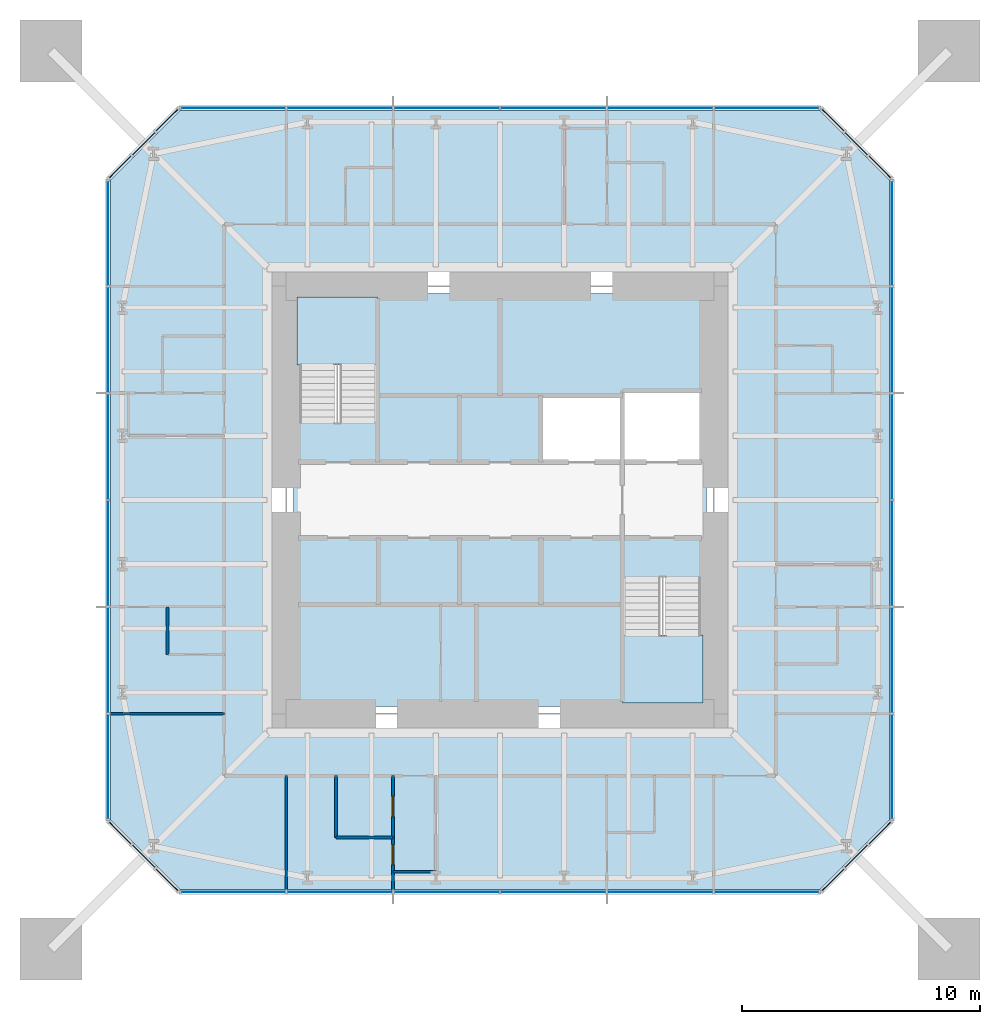
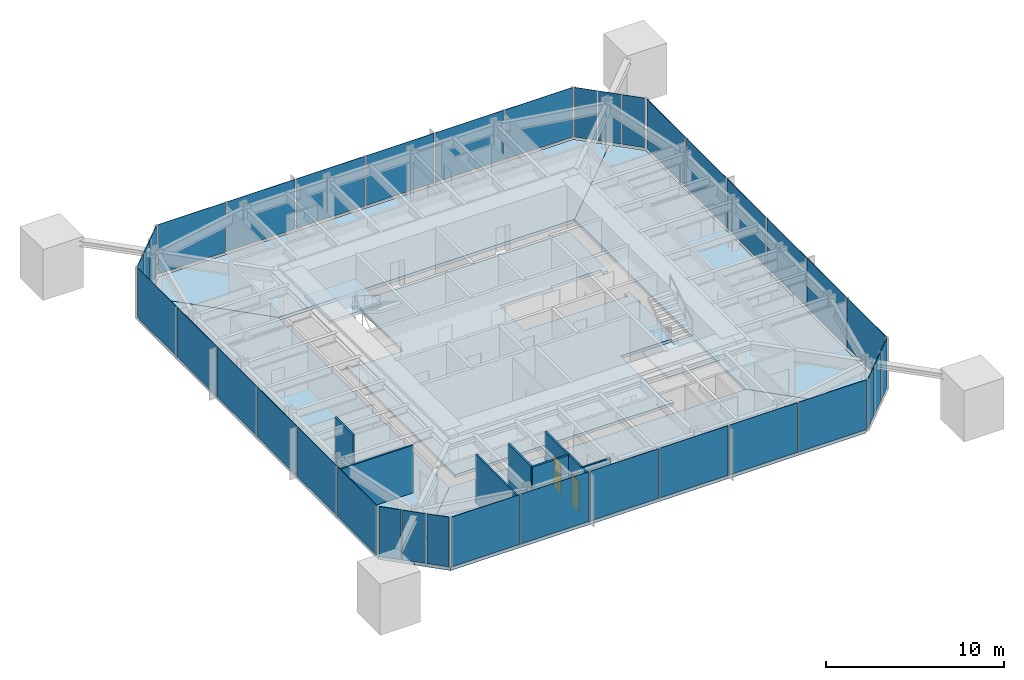
# One storey, part 5 of 9: 36 plates, 7 slabs, 7 walls, 2 doors, 2 openings, 10 elements without a shape of their own.
"""IFC4 building model written with IfcOpenShell, lengths in metres."""

from ifc_helpers import new_model, si_unit, direction, frame, frame_2d, origin, origin_2d, place, context, subcontext, project, spatial, polyline, rectangle, outline, extrude, material, layer, layer_set, constituent, constituent_set, type_object, element, fill, aggregate, save


model = new_model("IFC4")

# Units and contexts
model_context = context("Model", 3, precision=1e-05, world=origin(), true_north=direction((0.0, 1.0)))
body_context = subcontext(model_context, "Body", "Model", "MODEL_VIEW")
ifc_project = project(units=[si_unit("LENGTHUNIT", "METRE"), si_unit("AREAUNIT", "SQUARE_METRE"), si_unit("VOLUMEUNIT", "CUBIC_METRE"), si_unit("PLANEANGLEUNIT", "RADIAN"), si_unit("MASSUNIT", "GRAM", prefix="KILO")], contexts=[model_context])

# Site, building, storey
site_placement = place(None, origin())
site = spatial("IfcSite", under=ifc_project, at=site_placement, CompositionType="ELEMENT")
building_placement = place(site_placement, origin())
building = spatial("IfcBuilding", under=site, at=building_placement, Name="Iwan Alto Co-Living Towers", CompositionType="ELEMENT")
storey_placement = place(building_placement, frame((0.0, 0.0, 243.0)))
storey = spatial("IfcBuildingStorey", under=building, at=storey_placement, Name="L66", CompositionType="ELEMENT", Elevation=243.0)

# Slab
ifc_material_1 = material(Name="Concrete f'c 30 MPa", Category="concrete")
ifc_layer_1 = layer(ifc_material_1, 0.199951171875)
ifc_layer_set_1 = layer_set([ifc_layer_1], Name="CORE FLOOR SLAB 200")
slab_type_1 = type_object("IfcSlabType", Name="CORE FLOOR SLAB 200", PredefinedType="FLOOR", material=ifc_layer_set_1)
slab_1_placement = place(storey_placement, frame((0.0, 0.0, -0.199951171875)))
element("IfcSlab", 1, at=slab_1_placement, inside=storey, type_object=slab_type_1, Name="T1 core floor L66", PredefinedType="FLOOR", context=body_context, shape_type="SweptSolid", body=[
    extrude(outline(polyline([(-8.699951171875, 3.580078125), (-8.39990234375, 3.580078125), (-8.39990234375, 3.27001953125), (-5.14990234375, 3.27001953125), (-5.14990234375, 8.39990234375), (-5.4599609375, 8.39990234375), (-5.4599609375, 8.699951171875), (8.699951171875, 8.699951171875), (8.699951171875, 4.2900390625), (8.39990234375, 4.2900390625), (8.39990234375, 4.60009765625), (5.14990234375, 4.60009765625), (5.14990234375, 4.39990234375), (1.717041015625, 4.39990234375), (1.717041015625, 1.60009765625), (5.14990234375, 1.60009765625), (8.39990234375, 1.60009765625), (8.39990234375, 1.909912109375), (8.699951171875, 1.909912109375), (8.699951171875, -3.580078125), (8.39990234375, -3.580078125), (8.39990234375, -3.27001953125), (5.14990234375, -3.27001953125), (5.14990234375, -8.39990234375), (5.4599609375, -8.39990234375), (5.4599609375, -8.699951171875), (-8.699951171875, -8.699951171875), (-8.699951171875, 3.580078125)])), origin(), (0.0, 0.0, 1.0), 0.199951171875),
])

# Curtain wall, plates
ifc_material_2 = material(Name="Bronze aluminium unitised frame", Category="aluminium")
curtain_wall_type_1 = type_object("IfcCurtainWallType", Name="CURTAIN WALL CW-A", PredefinedType="NOTDEFINED", material=ifc_material_2)
curtain_wall_1_placement = place(storey_placement, origin())
curtain_wall_1 = element("IfcCurtainWall", 2, at=curtain_wall_1_placement, inside=storey, type_object=curtain_wall_type_1, Name="T1 curtain wall S L66", PredefinedType="NOTDEFINED")
ifc_material_3 = material(Name="Bronze-tinted insulating glass", Category="glass")
ifc_layer_2 = layer(ifc_material_3, 0.031982421875)
ifc_layer_set_2 = layer_set([ifc_layer_2], Name="CW-A PANEL TINTED IGU 32")
plate_type_1 = type_object("IfcPlateType", Name="CW-A PANEL TINTED IGU 32", PredefinedType="CURTAIN_PANEL", material=ifc_layer_set_2)
plate_1_placement = place(storey_placement, frame((-11.22998046875, -16.5, 0.10009765625), z_axis=(0.0, 0.0, 1.0), x_axis=(1.0, 0.0, 0.0)))
plate_1 = element("IfcPlate", 3, at=plate_1_placement, type_object=plate_type_1, Name="CW-A panel 1.1", PredefinedType="CURTAIN_PANEL", context=body_context, shape_type="SweptSolid", body=[
    extrude(rectangle(XDim=4.3798828125, YDim=0.031982421875, at=origin_2d()), origin(), (0.0, 0.0, 1.0), 3.39990234375),
])
plate_2_placement = place(storey_placement, frame((-6.75, -16.5, 0.10009765625), z_axis=(0.0, 0.0, 1.0), x_axis=(1.0, 0.0, 0.0)))
plate_2 = element("IfcPlate", 4, at=plate_2_placement, type_object=plate_type_1, Name="CW-A panel 2.1", PredefinedType="CURTAIN_PANEL", context=body_context, shape_type="SweptSolid", body=[
    extrude(rectangle(XDim=4.419921875, YDim=0.031982421875, at=origin_2d()), origin(), (0.0, 0.0, 1.0), 3.39990234375),
])
plate_3_placement = place(storey_placement, frame((-2.25, -16.5, 0.10009765625), z_axis=(0.0, 0.0, 1.0), x_axis=(1.0, 0.0, 0.0)))
plate_3 = element("IfcPlate", 5, at=plate_3_placement, type_object=plate_type_1, Name="CW-A panel 3.1", PredefinedType="CURTAIN_PANEL", context=body_context, shape_type="SweptSolid", body=[
    extrude(rectangle(XDim=4.419921875, YDim=0.031982421875, at=origin_2d()), origin(), (0.0, 0.0, 1.0), 3.39990234375),
])
plate_4_placement = place(storey_placement, frame((2.25, -16.5, 0.10009765625), z_axis=(0.0, 0.0, 1.0), x_axis=(1.0, 0.0, 0.0)))
plate_4 = element("IfcPlate", 6, at=plate_4_placement, type_object=plate_type_1, Name="CW-A panel 4.1", PredefinedType="CURTAIN_PANEL", context=body_context, shape_type="SweptSolid", body=[
    extrude(rectangle(XDim=4.419921875, YDim=0.031982421875, at=origin_2d()), origin(), (0.0, 0.0, 1.0), 3.39990234375),
])
plate_5_placement = place(storey_placement, frame((6.75, -16.5, 0.10009765625), z_axis=(0.0, 0.0, 1.0), x_axis=(1.0, 0.0, 0.0)))
plate_5 = element("IfcPlate", 7, at=plate_5_placement, type_object=plate_type_1, Name="CW-A panel 5.1", PredefinedType="CURTAIN_PANEL", context=body_context, shape_type="SweptSolid", body=[
    extrude(rectangle(XDim=4.419921875, YDim=0.031982421875, at=origin_2d()), origin(), (0.0, 0.0, 1.0), 3.39990234375),
])
plate_6_placement = place(storey_placement, frame((11.22998046875, -16.5, 0.10009765625), z_axis=(0.0, 0.0, 1.0), x_axis=(1.0, 0.0, 0.0)))
plate_6 = element("IfcPlate", 8, at=plate_6_placement, type_object=plate_type_1, Name="CW-A panel 6.1", PredefinedType="CURTAIN_PANEL", context=body_context, shape_type="SweptSolid", body=[
    extrude(rectangle(XDim=4.3798828125, YDim=0.031982421875, at=origin_2d()), origin(), (0.0, 0.0, 1.0), 3.39990234375),
])
aggregate(curtain_wall_1, [plate_1, plate_2, plate_3, plate_4, plate_5, plate_6])

curtain_wall_2_placement = place(storey_placement, origin())
curtain_wall_2 = element("IfcCurtainWall", 9, at=curtain_wall_2_placement, inside=storey, type_object=curtain_wall_type_1, Name="T1 curtain wall E L66", PredefinedType="NOTDEFINED")
plate_7_placement = place(storey_placement, frame((16.5, -11.22998046875, 0.10009765625), z_axis=(0.0, 0.0, 1.0), x_axis=(0.0, 1.0, 0.0)))
plate_7 = element("IfcPlate", 10, at=plate_7_placement, type_object=plate_type_1, Name="CW-A panel 1.1", PredefinedType="CURTAIN_PANEL", context=body_context, shape_type="SweptSolid", body=[
    extrude(rectangle(XDim=4.3798828125, YDim=0.031982421875, at=origin_2d()), origin(), (0.0, 0.0, 1.0), 3.39990234375),
])
plate_8_placement = place(storey_placement, frame((16.5, -6.75, 0.10009765625), z_axis=(0.0, 0.0, 1.0), x_axis=(0.0, 1.0, 0.0)))
plate_8 = element("IfcPlate", 11, at=plate_8_placement, type_object=plate_type_1, Name="CW-A panel 2.1", PredefinedType="CURTAIN_PANEL", context=body_context, shape_type="SweptSolid", body=[
    extrude(rectangle(XDim=4.419921875, YDim=0.031982421875, at=origin_2d()), origin(), (0.0, 0.0, 1.0), 3.39990234375),
])
plate_9_placement = place(storey_placement, frame((16.5, -2.25, 0.10009765625), z_axis=(0.0, 0.0, 1.0), x_axis=(0.0, 1.0, 0.0)))
plate_9 = element("IfcPlate", 12, at=plate_9_placement, type_object=plate_type_1, Name="CW-A panel 3.1", PredefinedType="CURTAIN_PANEL", context=body_context, shape_type="SweptSolid", body=[
    extrude(rectangle(XDim=4.419921875, YDim=0.031982421875, at=origin_2d()), origin(), (0.0, 0.0, 1.0), 3.39990234375),
])
plate_10_placement = place(storey_placement, frame((16.5, 2.25, 0.10009765625), z_axis=(0.0, 0.0, 1.0), x_axis=(0.0, 1.0, 0.0)))
plate_10 = element("IfcPlate", 13, at=plate_10_placement, type_object=plate_type_1, Name="CW-A panel 4.1", PredefinedType="CURTAIN_PANEL", context=body_context, shape_type="SweptSolid", body=[
    extrude(rectangle(XDim=4.419921875, YDim=0.031982421875, at=origin_2d()), origin(), (0.0, 0.0, 1.0), 3.39990234375),
])
plate_11_placement = place(storey_placement, frame((16.5, 6.75, 0.10009765625), z_axis=(0.0, 0.0, 1.0), x_axis=(0.0, 1.0, 0.0)))
plate_11 = element("IfcPlate", 14, at=plate_11_placement, type_object=plate_type_1, Name="CW-A panel 5.1", PredefinedType="CURTAIN_PANEL", context=body_context, shape_type="SweptSolid", body=[
    extrude(rectangle(XDim=4.419921875, YDim=0.031982421875, at=origin_2d()), origin(), (0.0, 0.0, 1.0), 3.39990234375),
])
plate_12_placement = place(storey_placement, frame((16.5, 11.22998046875, 0.10009765625), z_axis=(0.0, 0.0, 1.0), x_axis=(0.0, 1.0, 0.0)))
plate_12 = element("IfcPlate", 15, at=plate_12_placement, type_object=plate_type_1, Name="CW-A panel 6.1", PredefinedType="CURTAIN_PANEL", context=body_context, shape_type="SweptSolid", body=[
    extrude(rectangle(XDim=4.3798828125, YDim=0.031982421875, at=origin_2d()), origin(), (0.0, 0.0, 1.0), 3.39990234375),
])
aggregate(curtain_wall_2, [plate_7, plate_8, plate_9, plate_10, plate_11, plate_12])

curtain_wall_3_placement = place(storey_placement, origin())
curtain_wall_3 = element("IfcCurtainWall", 16, at=curtain_wall_3_placement, inside=storey, type_object=curtain_wall_type_1, Name="T1 curtain wall N L66", PredefinedType="NOTDEFINED")
plate_13_placement = place(storey_placement, frame((11.22998046875, 16.5, 0.10009765625), z_axis=(0.0, 0.0, 1.0), x_axis=(-1.0, 0.0, 0.0)))
plate_13 = element("IfcPlate", 17, at=plate_13_placement, type_object=plate_type_1, Name="CW-A panel 1.1", PredefinedType="CURTAIN_PANEL", context=body_context, shape_type="SweptSolid", body=[
    extrude(rectangle(XDim=4.3798828125, YDim=0.031982421875, at=origin_2d()), origin(), (0.0, 0.0, 1.0), 3.39990234375),
])
plate_14_placement = place(storey_placement, frame((6.75, 16.5, 0.10009765625), z_axis=(0.0, 0.0, 1.0), x_axis=(-1.0, 0.0, 0.0)))
plate_14 = element("IfcPlate", 18, at=plate_14_placement, type_object=plate_type_1, Name="CW-A panel 2.1", PredefinedType="CURTAIN_PANEL", context=body_context, shape_type="SweptSolid", body=[
    extrude(rectangle(XDim=4.419921875, YDim=0.031982421875, at=origin_2d()), origin(), (0.0, 0.0, 1.0), 3.39990234375),
])
plate_15_placement = place(storey_placement, frame((2.25, 16.5, 0.10009765625), z_axis=(0.0, 0.0, 1.0), x_axis=(-1.0, 0.0, 0.0)))
plate_15 = element("IfcPlate", 19, at=plate_15_placement, type_object=plate_type_1, Name="CW-A panel 3.1", PredefinedType="CURTAIN_PANEL", context=body_context, shape_type="SweptSolid", body=[
    extrude(rectangle(XDim=4.419921875, YDim=0.031982421875, at=origin_2d()), origin(), (0.0, 0.0, 1.0), 3.39990234375),
])
plate_16_placement = place(storey_placement, frame((-2.25, 16.5, 0.10009765625), z_axis=(0.0, 0.0, 1.0), x_axis=(-1.0, 0.0, 0.0)))
plate_16 = element("IfcPlate", 20, at=plate_16_placement, type_object=plate_type_1, Name="CW-A panel 4.1", PredefinedType="CURTAIN_PANEL", context=body_context, shape_type="SweptSolid", body=[
    extrude(rectangle(XDim=4.419921875, YDim=0.031982421875, at=origin_2d()), origin(), (0.0, 0.0, 1.0), 3.39990234375),
])
plate_17_placement = place(storey_placement, frame((-6.75, 16.5, 0.10009765625), z_axis=(0.0, 0.0, 1.0), x_axis=(-1.0, 0.0, 0.0)))
plate_17 = element("IfcPlate", 21, at=plate_17_placement, type_object=plate_type_1, Name="CW-A panel 5.1", PredefinedType="CURTAIN_PANEL", context=body_context, shape_type="SweptSolid", body=[
    extrude(rectangle(XDim=4.419921875, YDim=0.031982421875, at=origin_2d()), origin(), (0.0, 0.0, 1.0), 3.39990234375),
])
plate_18_placement = place(storey_placement, frame((-11.22998046875, 16.5, 0.10009765625), z_axis=(0.0, 0.0, 1.0), x_axis=(-1.0, 0.0, 0.0)))
plate_18 = element("IfcPlate", 22, at=plate_18_placement, type_object=plate_type_1, Name="CW-A panel 6.1", PredefinedType="CURTAIN_PANEL", context=body_context, shape_type="SweptSolid", body=[
    extrude(rectangle(XDim=4.3798828125, YDim=0.031982421875, at=origin_2d()), origin(), (0.0, 0.0, 1.0), 3.39990234375),
])
aggregate(curtain_wall_3, [plate_13, plate_14, plate_15, plate_16, plate_17, plate_18])

curtain_wall_4_placement = place(storey_placement, origin())
curtain_wall_4 = element("IfcCurtainWall", 23, at=curtain_wall_4_placement, inside=storey, type_object=curtain_wall_type_1, Name="T1 curtain wall W L66", PredefinedType="NOTDEFINED")
plate_19_placement = place(storey_placement, frame((-16.5, 11.22998046875, 0.10009765625), z_axis=(0.0, 0.0, 1.0), x_axis=(0.0, -1.0, 0.0)))
plate_19 = element("IfcPlate", 24, at=plate_19_placement, type_object=plate_type_1, Name="CW-A panel 1.1", PredefinedType="CURTAIN_PANEL", context=body_context, shape_type="SweptSolid", body=[
    extrude(rectangle(XDim=4.3798828125, YDim=0.031982421875, at=origin_2d()), origin(), (0.0, 0.0, 1.0), 3.39990234375),
])
plate_20_placement = place(storey_placement, frame((-16.5, 6.75, 0.10009765625), z_axis=(0.0, 0.0, 1.0), x_axis=(0.0, -1.0, 0.0)))
plate_20 = element("IfcPlate", 25, at=plate_20_placement, type_object=plate_type_1, Name="CW-A panel 2.1", PredefinedType="CURTAIN_PANEL", context=body_context, shape_type="SweptSolid", body=[
    extrude(rectangle(XDim=4.419921875, YDim=0.031982421875, at=origin_2d()), origin(), (0.0, 0.0, 1.0), 3.39990234375),
])
plate_21_placement = place(storey_placement, frame((-16.5, 2.25, 0.10009765625), z_axis=(0.0, 0.0, 1.0), x_axis=(0.0, -1.0, 0.0)))
plate_21 = element("IfcPlate", 26, at=plate_21_placement, type_object=plate_type_1, Name="CW-A panel 3.1", PredefinedType="CURTAIN_PANEL", context=body_context, shape_type="SweptSolid", body=[
    extrude(rectangle(XDim=4.419921875, YDim=0.031982421875, at=origin_2d()), origin(), (0.0, 0.0, 1.0), 3.39990234375),
])
plate_22_placement = place(storey_placement, frame((-16.5, -2.25, 0.10009765625), z_axis=(0.0, 0.0, 1.0), x_axis=(0.0, -1.0, 0.0)))
plate_22 = element("IfcPlate", 27, at=plate_22_placement, type_object=plate_type_1, Name="CW-A panel 4.1", PredefinedType="CURTAIN_PANEL", context=body_context, shape_type="SweptSolid", body=[
    extrude(rectangle(XDim=4.419921875, YDim=0.031982421875, at=origin_2d()), origin(), (0.0, 0.0, 1.0), 3.39990234375),
])
plate_23_placement = place(storey_placement, frame((-16.5, -6.75, 0.10009765625), z_axis=(0.0, 0.0, 1.0), x_axis=(0.0, -1.0, 0.0)))
plate_23 = element("IfcPlate", 28, at=plate_23_placement, type_object=plate_type_1, Name="CW-A panel 5.1", PredefinedType="CURTAIN_PANEL", context=body_context, shape_type="SweptSolid", body=[
    extrude(rectangle(XDim=4.419921875, YDim=0.031982421875, at=origin_2d()), origin(), (0.0, 0.0, 1.0), 3.39990234375),
])
plate_24_placement = place(storey_placement, frame((-16.5, -11.22998046875, 0.10009765625), z_axis=(0.0, 0.0, 1.0), x_axis=(0.0, -1.0, 0.0)))
plate_24 = element("IfcPlate", 29, at=plate_24_placement, type_object=plate_type_1, Name="CW-A panel 6.1", PredefinedType="CURTAIN_PANEL", context=body_context, shape_type="SweptSolid", body=[
    extrude(rectangle(XDim=4.3798828125, YDim=0.031982421875, at=origin_2d()), origin(), (0.0, 0.0, 1.0), 3.39990234375),
])
aggregate(curtain_wall_4, [plate_19, plate_20, plate_21, plate_22, plate_23, plate_24])

ifc_material_4 = material(Name="Bronze aluminium unitised frame", Category="aluminium")
curtain_wall_type_2 = type_object("IfcCurtainWallType", Name="CURTAIN WALL CW-B", PredefinedType="NOTDEFINED", material=ifc_material_4)
curtain_wall_5_placement = place(storey_placement, origin())
curtain_wall_5 = element("IfcCurtainWall", 30, at=curtain_wall_5_placement, inside=storey, type_object=curtain_wall_type_2, Name="T1 chamfer curtain wall SE L66", PredefinedType="NOTDEFINED")
ifc_material_5 = material(Name="Bronze-tinted insulating glass", Category="glass")
ifc_layer_3 = layer(ifc_material_5, 0.031982421875)
ifc_layer_set_3 = layer_set([ifc_layer_3], Name="CW-B PANEL TINTED IGU 32")
plate_type_2 = type_object("IfcPlateType", Name="CW-B PANEL TINTED IGU 32", PredefinedType="CURTAIN_PANEL", material=ifc_layer_set_3)
plate_25_placement = place(storey_placement, frame((14.01416015625, -15.98583984375, 0.10009765625), z_axis=(0.0, 0.0, 1.0), x_axis=(0.707106781187, 0.707106781187, 0.0)))
plate_25 = element("IfcPlate", 31, at=plate_25_placement, type_object=plate_type_2, Name="CW-B panel 1.1", PredefinedType="CURTAIN_PANEL", context=body_context, shape_type="SweptSolid", body=[
    extrude(rectangle(XDim=1.294189453125, YDim=0.031982421875, at=origin_2d()), origin(), (0.0, 0.0, 1.0), 3.39990234375),
])
plate_26_placement = place(storey_placement, frame((15.0, -15.0, 0.10009765625), z_axis=(0.0, 0.0, 1.0), x_axis=(0.707106781187, 0.707106781187, 0.0)))
plate_26 = element("IfcPlate", 32, at=plate_26_placement, type_object=plate_type_2, Name="CW-B panel 2.1", PredefinedType="CURTAIN_PANEL", context=body_context, shape_type="SweptSolid", body=[
    extrude(rectangle(XDim=1.334228515625, YDim=0.031982421875, at=origin_2d()), origin(), (0.0, 0.0, 1.0), 3.39990234375),
])
plate_27_placement = place(storey_placement, frame((15.98583984375, -14.01416015625, 0.10009765625), z_axis=(0.0, 0.0, 1.0), x_axis=(0.707106781187, 0.707106781187, 0.0)))
plate_27 = element("IfcPlate", 33, at=plate_27_placement, type_object=plate_type_2, Name="CW-B panel 3.1", PredefinedType="CURTAIN_PANEL", context=body_context, shape_type="SweptSolid", body=[
    extrude(rectangle(XDim=1.294189453125, YDim=0.031982421875, at=origin_2d()), origin(), (0.0, 0.0, 1.0), 3.39990234375),
])
aggregate(curtain_wall_5, [plate_25, plate_26, plate_27])

curtain_wall_6_placement = place(storey_placement, origin())
curtain_wall_6 = element("IfcCurtainWall", 34, at=curtain_wall_6_placement, inside=storey, type_object=curtain_wall_type_2, Name="T1 chamfer curtain wall NE L66", PredefinedType="NOTDEFINED")
plate_28_placement = place(storey_placement, frame((15.98583984375, 14.01416015625, 0.10009765625), z_axis=(0.0, 0.0, 1.0), x_axis=(-0.707106781187, 0.707106781187, 0.0)))
plate_28 = element("IfcPlate", 35, at=plate_28_placement, type_object=plate_type_2, Name="CW-B panel 1.1", PredefinedType="CURTAIN_PANEL", context=body_context, shape_type="SweptSolid", body=[
    extrude(rectangle(XDim=1.294189453125, YDim=0.031982421875, at=origin_2d()), origin(), (0.0, 0.0, 1.0), 3.39990234375),
])
plate_29_placement = place(storey_placement, frame((15.0, 15.0, 0.10009765625), z_axis=(0.0, 0.0, 1.0), x_axis=(-0.707106781187, 0.707106781187, 0.0)))
plate_29 = element("IfcPlate", 36, at=plate_29_placement, type_object=plate_type_2, Name="CW-B panel 2.1", PredefinedType="CURTAIN_PANEL", context=body_context, shape_type="SweptSolid", body=[
    extrude(rectangle(XDim=1.334228515625, YDim=0.031982421875, at=origin_2d()), origin(), (0.0, 0.0, 1.0), 3.39990234375),
])
plate_30_placement = place(storey_placement, frame((14.01416015625, 15.98583984375, 0.10009765625), z_axis=(0.0, 0.0, 1.0), x_axis=(-0.707106781187, 0.707106781187, 0.0)))
plate_30 = element("IfcPlate", 37, at=plate_30_placement, type_object=plate_type_2, Name="CW-B panel 3.1", PredefinedType="CURTAIN_PANEL", context=body_context, shape_type="SweptSolid", body=[
    extrude(rectangle(XDim=1.294189453125, YDim=0.031982421875, at=origin_2d()), origin(), (0.0, 0.0, 1.0), 3.39990234375),
])
aggregate(curtain_wall_6, [plate_28, plate_29, plate_30])

curtain_wall_7_placement = place(storey_placement, origin())
curtain_wall_7 = element("IfcCurtainWall", 38, at=curtain_wall_7_placement, inside=storey, type_object=curtain_wall_type_2, Name="T1 chamfer curtain wall NW L66", PredefinedType="NOTDEFINED")
plate_31_placement = place(storey_placement, frame((-14.01416015625, 15.98583984375, 0.10009765625), z_axis=(0.0, 0.0, 1.0), x_axis=(-0.707106781187, -0.707106781187, 0.0)))
plate_31 = element("IfcPlate", 39, at=plate_31_placement, type_object=plate_type_2, Name="CW-B panel 1.1", PredefinedType="CURTAIN_PANEL", context=body_context, shape_type="SweptSolid", body=[
    extrude(rectangle(XDim=1.294189453125, YDim=0.031982421875, at=origin_2d()), origin(), (0.0, 0.0, 1.0), 3.39990234375),
])
plate_32_placement = place(storey_placement, frame((-15.0, 15.0, 0.10009765625), z_axis=(0.0, 0.0, 1.0), x_axis=(-0.707106781187, -0.707106781187, 0.0)))
plate_32 = element("IfcPlate", 40, at=plate_32_placement, type_object=plate_type_2, Name="CW-B panel 2.1", PredefinedType="CURTAIN_PANEL", context=body_context, shape_type="SweptSolid", body=[
    extrude(rectangle(XDim=1.334228515625, YDim=0.031982421875, at=origin_2d()), origin(), (0.0, 0.0, 1.0), 3.39990234375),
])
plate_33_placement = place(storey_placement, frame((-15.98583984375, 14.01416015625, 0.10009765625), z_axis=(0.0, 0.0, 1.0), x_axis=(-0.707106781187, -0.707106781187, 0.0)))
plate_33 = element("IfcPlate", 41, at=plate_33_placement, type_object=plate_type_2, Name="CW-B panel 3.1", PredefinedType="CURTAIN_PANEL", context=body_context, shape_type="SweptSolid", body=[
    extrude(rectangle(XDim=1.294189453125, YDim=0.031982421875, at=origin_2d()), origin(), (0.0, 0.0, 1.0), 3.39990234375),
])
aggregate(curtain_wall_7, [plate_31, plate_32, plate_33])

curtain_wall_8_placement = place(storey_placement, origin())
curtain_wall_8 = element("IfcCurtainWall", 42, at=curtain_wall_8_placement, inside=storey, type_object=curtain_wall_type_2, Name="T1 chamfer curtain wall SW L66", PredefinedType="NOTDEFINED")
plate_34_placement = place(storey_placement, frame((-15.98583984375, -14.01416015625, 0.10009765625), z_axis=(0.0, 0.0, 1.0), x_axis=(0.707106781187, -0.707106781187, 0.0)))
plate_34 = element("IfcPlate", 43, at=plate_34_placement, type_object=plate_type_2, Name="CW-B panel 1.1", PredefinedType="CURTAIN_PANEL", context=body_context, shape_type="SweptSolid", body=[
    extrude(rectangle(XDim=1.294189453125, YDim=0.031982421875, at=origin_2d()), origin(), (0.0, 0.0, 1.0), 3.39990234375),
])
plate_35_placement = place(storey_placement, frame((-15.0, -15.0, 0.10009765625), z_axis=(0.0, 0.0, 1.0), x_axis=(0.707106781187, -0.707106781187, 0.0)))
plate_35 = element("IfcPlate", 44, at=plate_35_placement, type_object=plate_type_2, Name="CW-B panel 2.1", PredefinedType="CURTAIN_PANEL", context=body_context, shape_type="SweptSolid", body=[
    extrude(rectangle(XDim=1.334228515625, YDim=0.031982421875, at=origin_2d()), origin(), (0.0, 0.0, 1.0), 3.39990234375),
])
plate_36_placement = place(storey_placement, frame((-14.01416015625, -15.98583984375, 0.10009765625), z_axis=(0.0, 0.0, 1.0), x_axis=(0.707106781187, -0.707106781187, 0.0)))
plate_36 = element("IfcPlate", 45, at=plate_36_placement, type_object=plate_type_2, Name="CW-B panel 3.1", PredefinedType="CURTAIN_PANEL", context=body_context, shape_type="SweptSolid", body=[
    extrude(rectangle(XDim=1.294189453125, YDim=0.031982421875, at=origin_2d()), origin(), (0.0, 0.0, 1.0), 3.39990234375),
])
aggregate(curtain_wall_8, [plate_34, plate_35, plate_36])

# Stair, slab
ifc_material_6 = material(Name="Steel ASTM A36", Category="steel")
ifc_constituent_1 = constituent(ifc_material_6, Name="Stringers", Category="LoadBearing")
ifc_material_7 = material(Name="Concrete f'c 30 MPa", Category="concrete")
ifc_constituent_2 = constituent(ifc_material_7, Name="Tread fill", Category="Finish")
ifc_constituent_set = constituent_set(constituents=[ifc_constituent_1, ifc_constituent_2], Name="STAIR 3500 TWO-FLIGHT T1 CORE")
stair_type = type_object("IfcStairType", Name="STAIR 3500 TWO-FLIGHT T1 CORE", PredefinedType="HALF_TURN_STAIR", material=ifc_constituent_set)
stair_1_placement = place(storey_placement, origin())
stair_1 = element("IfcStair", 46, at=stair_1_placement, inside=storey, type_object=stair_type, Name="Stair T1-S1 L66 to L67", PredefinedType="HALF_TURN_STAIR")
ifc_material_8 = material(Name="Concrete f'c 30 MPa", Category="concrete")
ifc_layer_4 = layer(ifc_material_8, 0.199951171875)
ifc_layer_set_4 = layer_set([ifc_layer_4], Name="STAIR LANDING 200")
slab_type_2 = type_object("IfcSlabType", Name="STAIR LANDING 200", PredefinedType="LANDING", material=ifc_layer_set_4)
slab_2_placement = place(storey_placement, frame((0.0, 0.0, 1.550048828125)))
slab_2 = element("IfcSlab", 47, at=slab_2_placement, type_object=slab_type_2, Name="T1-S1 landing 1", PredefinedType="LANDING", context=body_context, shape_type="SweptSolid", body=[
    extrude(outline(polyline([(-8.550048828125, 5.68994140625), (-8.550048828125, 8.550048828125), (-5.14990234375, 8.550048828125), (-5.14990234375, 5.68994140625), (-8.550048828125, 5.68994140625)])), origin(), (0.0, 0.0, 1.0), 0.199951171875),
])
aggregate(stair_1, [slab_2])

stair_2_placement = place(storey_placement, origin())
stair_2 = element("IfcStair", 48, at=stair_2_placement, inside=storey, type_object=stair_type, Name="Stair T1-S2 L66 to L67", PredefinedType="HALF_TURN_STAIR")
slab_3_placement = place(storey_placement, frame((0.0, 0.0, 1.550048828125)))
slab_3 = element("IfcSlab", 49, at=slab_3_placement, type_object=slab_type_2, Name="T1-S2 landing 1", PredefinedType="LANDING", context=body_context, shape_type="SweptSolid", body=[
    extrude(outline(polyline([(5.14990234375, -5.68994140625), (5.14990234375, -8.550048828125), (8.550048828125, -8.550048828125), (8.550048828125, -5.68994140625), (5.14990234375, -5.68994140625)])), origin(), (0.0, 0.0, 1.0), 0.199951171875),
])
aggregate(stair_2, [slab_3])

# Slabs
ifc_material_9 = material(Name="Concrete f'c 30 MPa", Category="concrete")
ifc_layer_5 = layer(ifc_material_9, 0.22998046875)
ifc_layer_set_5 = layer_set([ifc_layer_5], Name="T1 FLOOR SLAB 230")
slab_type_3 = type_object("IfcSlabType", Name="T1 FLOOR SLAB 230", PredefinedType="FLOOR", material=ifc_layer_set_5)
slab_4_placement = place(storey_placement, frame((0.0, 0.0, -0.22998046875)))
element("IfcSlab", 50, at=slab_4_placement, inside=storey, type_object=slab_type_3, Name="T1 floor slab L66 S pour", PredefinedType="FLOOR", context=body_context, shape_type="SweptSolid", body=[
    extrude(outline(polyline([(13.44140625, -16.39990234375), (-13.44140625, -16.39990234375), (-14.920654296875, -14.920654296875), (-9.60009765625, -9.60009765625), (9.60009765625, -9.60009765625), (14.920654296875, -14.920654296875), (13.44140625, -16.39990234375)])), origin(), (0.0, 0.0, 1.0), 0.22998046875),
])
slab_5_placement = place(storey_placement, frame((0.0, 0.0, -0.22998046875)))
element("IfcSlab", 51, at=slab_5_placement, inside=storey, type_object=slab_type_3, Name="T1 floor slab L66 E pour", PredefinedType="FLOOR", context=body_context, shape_type="SweptSolid", body=[
    extrude(outline(polyline([(16.39990234375, 13.44140625), (16.39990234375, -13.44140625), (14.920654296875, -14.920654296875), (9.60009765625, -9.60009765625), (9.60009765625, 9.60009765625), (14.920654296875, 14.920654296875), (16.39990234375, 13.44140625)])), origin(), (0.0, 0.0, 1.0), 0.22998046875),
])
slab_6_placement = place(storey_placement, frame((0.0, 0.0, -0.22998046875)))
element("IfcSlab", 52, at=slab_6_placement, inside=storey, type_object=slab_type_3, Name="T1 floor slab L66 N pour", PredefinedType="FLOOR", context=body_context, shape_type="SweptSolid", body=[
    extrude(outline(polyline([(-13.44140625, 16.39990234375), (13.44140625, 16.39990234375), (14.920654296875, 14.920654296875), (9.60009765625, 9.60009765625), (-9.60009765625, 9.60009765625), (-14.920654296875, 14.920654296875), (-13.44140625, 16.39990234375)])), origin(), (0.0, 0.0, 1.0), 0.22998046875),
])
slab_7_placement = place(storey_placement, frame((0.0, 0.0, -0.22998046875)))
element("IfcSlab", 53, at=slab_7_placement, inside=storey, type_object=slab_type_3, Name="T1 floor slab L66 W pour", PredefinedType="FLOOR", context=body_context, shape_type="SweptSolid", body=[
    extrude(outline(polyline([(-16.39990234375, 13.44140625), (-14.920654296875, 14.920654296875), (-9.60009765625, 9.60009765625), (-9.60009765625, -9.60009765625), (-14.920654296875, -14.920654296875), (-16.39990234375, -13.44140625), (-16.39990234375, 13.44140625)])), origin(), (0.0, 0.0, 1.0), 0.22998046875),
])

# Walls
ifc_material_10 = material(Name="Gypsum board")
ifc_layer_6 = layer(ifc_material_10, 0.012451171875, Name="Board", Category="Finish")
ifc_material_11 = material(Name="Steel ASTM A1003 ST33H cold-formed studs", Category="steel")
ifc_layer_7 = layer(ifc_material_11, 0.074951171875, Name="Studs", Category="Framing")
ifc_layer_8 = layer(ifc_material_10, 0.012451171875, Name="Board", Category="Finish")
ifc_layer_set_6 = layer_set([ifc_layer_6, ifc_layer_7, ifc_layer_8], Name="PARTITION 100")
wall_type_1 = type_object("IfcWallType", Name="PARTITION 100", PredefinedType="PARTITIONING", material=ifc_layer_set_6)
wall_1_placement = place(storey_placement, frame((-4.5, -15.64990234375, 0.0), z_axis=(0.0, 0.0, 1.0), x_axis=(1.0, 0.0, 0.0)))
element("IfcWall", 54, at=wall_1_placement, inside=storey, type_object=wall_type_1, Name="Partition L66", PredefinedType="PARTITIONING", context=body_context, shape_type="SweptSolid", body=[
    extrude(rectangle(XDim=1.800048828125, YDim=0.10009765625, at=frame_2d((0.89990234375, 0.0))), origin(), (0.0, 0.0, 1.0), 3.27001953125),
])
for number, where, z_axis, x_axis, name in (
    (55, (-16.43994140625, -9.0, 0.0), (0.0, 0.0, 1.0), (1.0, 0.0, 0.0), "Partition L66"),
    (56, (-9.0, -16.43994140625, 0.0), (0.0, 0.0, 1.0), (0.0, 1.0, 0.0), "Partition L66"),
):
    element("IfcWall", number, at=place(storey_placement, frame(where, z_axis=z_axis, x_axis=x_axis)), inside=storey, type_object=wall_type_1, Name=name, PredefinedType="PARTITIONING", context=body_context, shape_type="SweptSolid", body=[
        extrude(rectangle(XDim=4.83984375, YDim=0.10009765625, at=frame_2d((2.419921875, 0.0))), origin(), (0.0, 0.0, 1.0), 3.27001953125),
    ])
ifc_material_12 = material(Name="Cement board")
ifc_layer_9 = layer(ifc_material_12, 0.012451171875, Name="Board", Category="Finish")
ifc_layer_10 = layer(ifc_material_11, 0.094970703125, Name="Studs", Category="Framing")
ifc_layer_11 = layer(ifc_material_12, 0.012451171875, Name="Board", Category="Finish")
ifc_layer_set_7 = layer_set([ifc_layer_9, ifc_layer_10, ifc_layer_11], Name="WET AREA PARTITION 120")
wall_type_2 = type_object("IfcWallType", Name="WET AREA PARTITION 120", PredefinedType="PARTITIONING", material=ifc_layer_set_7)
wall_2_placement = place(storey_placement, frame((-6.89990234375, -14.199951171875, 0.0), z_axis=(0.0, 0.0, 1.0), x_axis=(1.0, 0.0, 0.0)))
element("IfcWall", 57, at=wall_2_placement, inside=storey, type_object=wall_type_2, Name="Partition L66", PredefinedType="PARTITIONING", context=body_context, shape_type="SweptSolid", body=[
    extrude(rectangle(XDim=2.39990234375, YDim=0.1201171875, at=frame_2d((1.199951171875, 0.0))), origin(), (0.0, 0.0, 1.0), 3.27001953125),
])

# Wall, openings, doors
wall_3_placement = place(storey_placement, frame((-4.5, -16.43994140625, 0.0), z_axis=(0.0, 0.0, 1.0), x_axis=(0.0, 1.0, 0.0)))
wall_3 = element("IfcWall", 58, at=wall_3_placement, inside=storey, type_object=wall_type_2, Name="Partition L66", PredefinedType="PARTITIONING", context=body_context, shape_type="SweptSolid", body=[
    extrude(rectangle(XDim=4.83984375, YDim=0.1201171875, at=frame_2d((2.419921875, 0.0))), origin(), (0.0, 0.0, 1.0), 3.27001953125),
])
opening_1_placement = place(wall_3_placement, frame((1.090087890625, 0.0, 0.0)))
opening_1 = element("IfcOpeningElement", 59, at=opening_1_placement, cuts=wall_3, Name="Opening D2", PredefinedType="OPENING", context=body_context, shape_type="SweptSolid", body=[
    extrude(rectangle(XDim=0.85009765625, YDim=2.10009765625, at=frame_2d((0.425048828125, 1.050048828125))), frame((0.0, 0.070068359375, 0.0), z_axis=(0.0, -1.0, 0.0), x_axis=(1.0, 0.0, 0.0)), (0.0, 0.0, 1.0), 0.14013671875),
])
opening_2_placement = place(wall_3_placement, frame((3.114990234375, 0.0, 0.0)))
opening_2 = element("IfcOpeningElement", 60, at=opening_2_placement, cuts=wall_3, Name="Opening D2", PredefinedType="OPENING", context=body_context, shape_type="SweptSolid", body=[
    extrude(rectangle(XDim=0.85009765625, YDim=2.10009765625, at=frame_2d((0.425048828125, 1.050048828125))), frame((0.0, 0.070068359375, 0.0), z_axis=(0.0, -1.0, 0.0), x_axis=(1.0, 0.0, 0.0)), (0.0, 0.0, 1.0), 0.14013671875),
])
ifc_material_13 = material(Name="Timber leaf in steel frame", Category="steel")
door_type = type_object("IfcDoorType", Name="ROOM DOOR 850X2100", OperationType="SINGLE_SWING_LEFT", PredefinedType="DOOR", material=ifc_material_13)
door_1_placement = place(opening_1_placement, origin())
door_1 = element("IfcDoor", 61, at=door_1_placement, inside=storey, type_object=door_type, Name="Bedroom door L66", OperationType="SINGLE_SWING_RIGHT", OverallHeight=2.10009765625, OverallWidth=0.85009765625, PredefinedType="DOOR", context=body_context, shape_type="SweptSolid", body=[
    extrude(rectangle(XDim=0.85009765625, YDim=2.10009765625, at=frame_2d((0.425048828125, 1.050048828125))), frame((0.0, 0.02490234375, 0.0), z_axis=(0.0, -1.0, 0.0), x_axis=(1.0, 0.0, 0.0)), (0.0, 0.0, 1.0), 0.050048828125),
])
fill(opening_1, door_1)
door_2_placement = place(opening_2_placement, origin())
door_2 = element("IfcDoor", 62, at=door_2_placement, inside=storey, type_object=door_type, Name="Bathroom door L66", OperationType="SINGLE_SWING_LEFT", OverallHeight=2.10009765625, OverallWidth=0.85009765625, PredefinedType="DOOR", context=body_context, shape_type="SweptSolid", body=[
    extrude(rectangle(XDim=0.85009765625, YDim=2.10009765625, at=frame_2d((0.425048828125, 1.050048828125))), frame((0.0, 0.02490234375, 0.0), z_axis=(0.0, -1.0, 0.0), x_axis=(1.0, 0.0, 0.0)), (0.0, 0.0, 1.0), 0.050048828125),
])
fill(opening_2, door_2)

# Walls
wall_4_placement = place(storey_placement, frame((-6.89990234375, -14.199951171875, 0.0), z_axis=(0.0, 0.0, 1.0), x_axis=(0.0, 1.0, 0.0)))
element("IfcWall", 63, at=wall_4_placement, inside=storey, type_object=wall_type_2, Name="Partition L66", PredefinedType="PARTITIONING", context=body_context, shape_type="SweptSolid", body=[
    extrude(rectangle(XDim=2.599853515625, YDim=0.1201171875, at=frame_2d((1.2998046875, 0.0))), origin(), (0.0, 0.0, 1.0), 3.27001953125),
])
wall_5_placement = place(storey_placement, frame((-14.0, -6.5, 0.0), z_axis=(0.0, 0.0, 1.0), x_axis=(0.0, 1.0, 0.0)))
element("IfcWall", 64, at=wall_5_placement, inside=storey, type_object=wall_type_2, Name="Partition L66", PredefinedType="PARTITIONING", context=body_context, shape_type="SweptSolid", body=[
    extrude(rectangle(XDim=2.0, YDim=0.1201171875, at=frame_2d((1.0, 0.0))), origin(), (0.0, 0.0, 1.0), 3.27001953125),
])

save(model, "model.ifc")
